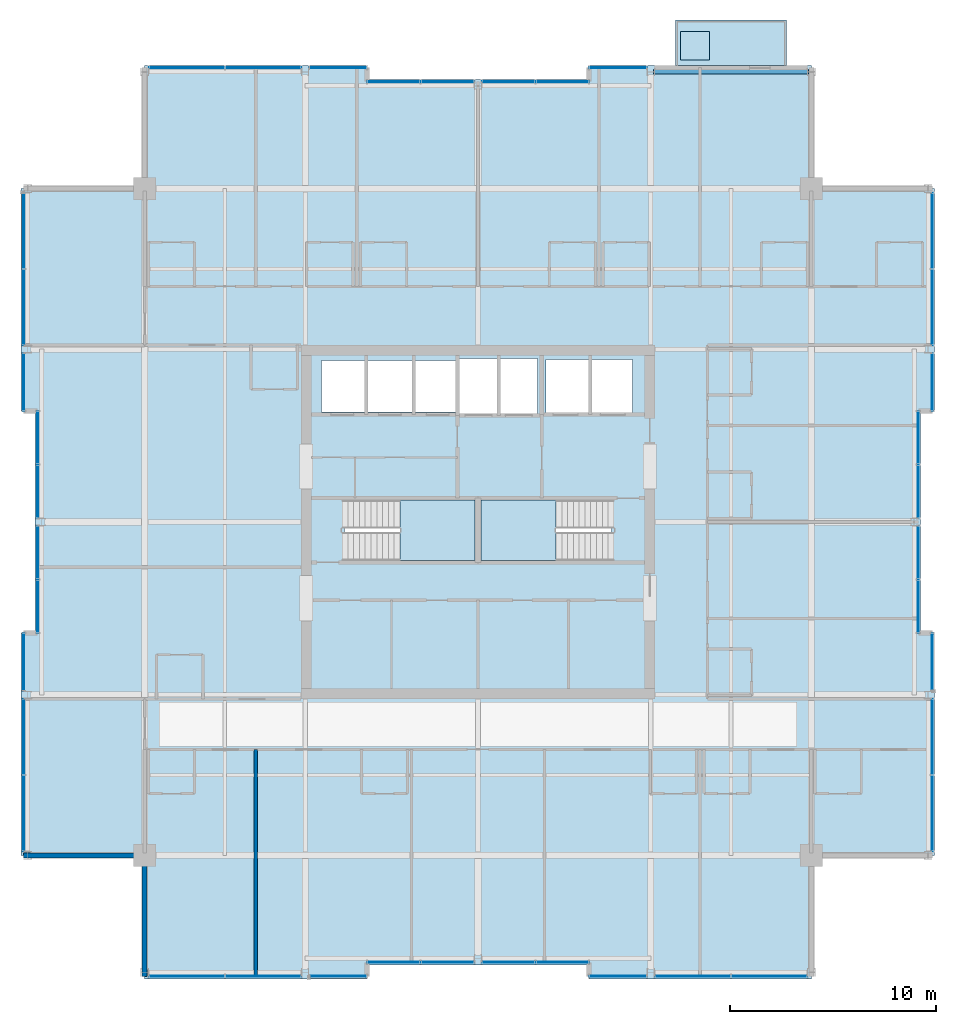
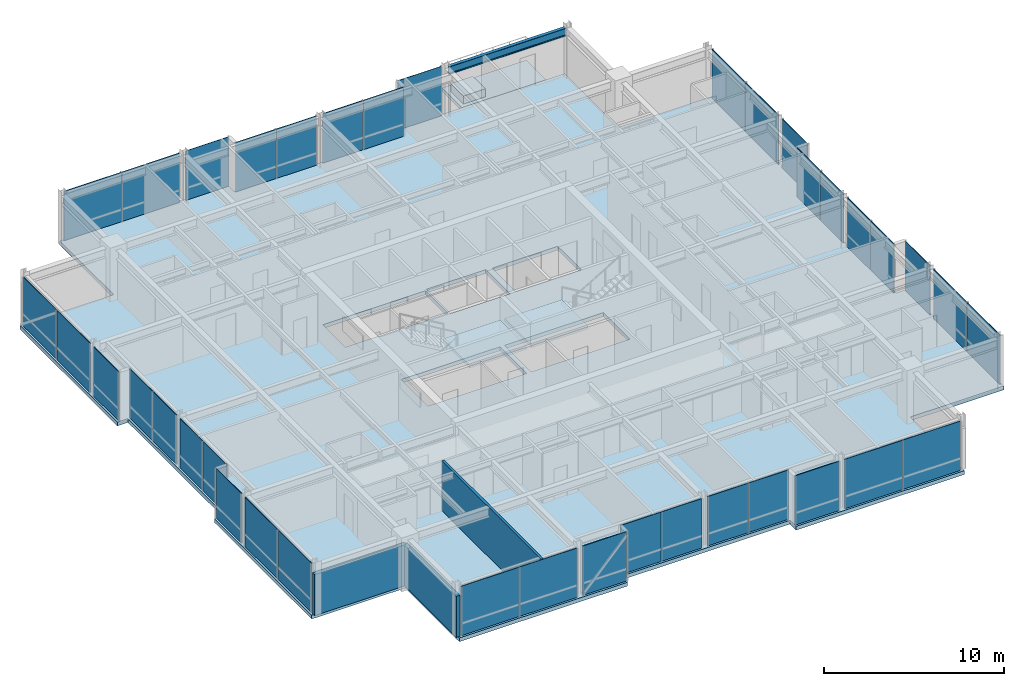
# One storey, part 26 of 33: 38 plates, 5 slabs, 3 walls, 1 beam, 25 elements without a shape of their own.
"""IFC4 building model written with IfcOpenShell, lengths in metres."""

from ifc_helpers import new_model, si_unit, direction, frame, frame_2d, origin, origin_2d, place, context, subcontext, project, spatial, polyline, rectangle, i_section, outline, extrude, material, layer, layer_set, material_profile, profile_set, type_object, element, aggregate, save


model = new_model("IFC4")

# Units and contexts
model_context = context("Model", 3, precision=1e-05, world=origin(), true_north=direction((0.0, 1.0)))
body_context = subcontext(model_context, "Body", "Model", "MODEL_VIEW")
ifc_project = project(units=[si_unit("LENGTHUNIT", "METRE"), si_unit("AREAUNIT", "SQUARE_METRE"), si_unit("VOLUMEUNIT", "CUBIC_METRE"), si_unit("PLANEANGLEUNIT", "RADIAN"), si_unit("MASSUNIT", "GRAM", prefix="KILO")], contexts=[model_context])

# Site, building, storey
site_placement = place(None, origin())
site = spatial("IfcSite", under=ifc_project, at=site_placement, CompositionType="ELEMENT")
building_placement = place(site_placement, origin())
building = spatial("IfcBuilding", under=site, at=building_placement, Name="Drelvath Grand Hotel", CompositionType="ELEMENT")
storey_placement = place(building_placement, frame((0.0, 0.0, 268.64990234375)))
storey = spatial("IfcBuildingStorey", under=building, at=storey_placement, Name="L70", CompositionType="ELEMENT", Elevation=268.64990234375)

# Beam
ifc_material_1 = material(Name="Steel ASTM A992 Gr 50", Category="steel")
ifc_material_profile = material_profile(ifc_material_1, i_section(OverallWidth=0.210205078125, OverallDepth=0.53662109375, WebThickness=0.010986328125, FlangeThickness=0.017333984375, FilletRadius=0.01806640625, at=origin_2d()), Name="W21X68")
ifc_profile_set = profile_set([ifc_material_profile], Name="Steel ASTM A992 Gr 50")
beam_type = type_object("IfcBeamType", Name="Perimeter Spandrel Beam W21X68", PredefinedType="SPANDREL", material=ifc_profile_set)
beam_placement = place(storey_placement, frame((8.5400390625, 48.8798828125, 3.121826171875), z_axis=(1.0, 0.0, 0.0), x_axis=(0.0, 1.0, 0.0)))
element("IfcBeam", 1, at=beam_placement, inside=storey, type_object=beam_type, Name="L70 Spandrel North E", PredefinedType="SPANDREL", context=body_context, shape_type="SweptSolid", body=[
    extrude(i_section(OverallWidth=0.210205078125, OverallDepth=0.53662109375, WebThickness=0.010986328125, FlangeThickness=0.017333984375, FilletRadius=0.01806640625, at=origin_2d()), origin(), (0.0, 0.0, 1.0), 7.52001953125),
])

# Slabs
ifc_material_2 = material(Name="Concrete f'c 40 MPa", Category="concrete")
ifc_layer_1 = layer(ifc_material_2, 0.239990234375)
ifc_layer_set_1 = layer_set([ifc_layer_1], Name="Concrete f'c 40 MPa")
slab_type_1 = type_object("IfcSlabType", Name="Cantilevered Tree Balcony Slab 240", PredefinedType="FLOOR", material=ifc_layer_set_1)
slab_1_placement = place(storey_placement, frame((0.0, 0.0, -0.239990234375)))
element("IfcSlab", 2, at=slab_1_placement, inside=storey, type_object=slab_type_1, Name="L70 Cantilevered Tree Balcony Slab 1", PredefinedType="FLOOR", context=body_context, shape_type="SweptSolid", body=[
    extrude(outline(polyline([(9.60009765625, 49.199951171875), (15.0, 49.199951171875), (15.0, 51.39990234375), (9.60009765625, 51.39990234375), (9.60009765625, 49.199951171875)])), origin(), (0.0, 0.0, 1.0), 0.239990234375),
])
ifc_layer_2 = layer(ifc_material_2, 0.260009765625)
ifc_layer_set_2 = layer_set([ifc_layer_2], Name="Concrete f'c 40 MPa")
slab_type_2 = type_object("IfcSlabType", Name="Composite RC Floor Slab 260", PredefinedType="FLOOR", material=ifc_layer_set_2)
slab_2_placement = place(storey_placement, frame((0.0, 0.0, -0.260009765625)))
element("IfcSlab", 3, at=slab_2_placement, inside=storey, type_object=slab_type_2, Name="L70 Structural Floor Slab", PredefinedType="FLOOR", context=body_context, shape_type="SweptSolid", body=[
    extrude(outline(polyline([(-16.199951171875, 4.800048828125), (-5.39990234375, 4.800048828125), (-5.39990234375, 5.47998046875), (5.39990234375, 5.47998046875), (5.39990234375, 4.800048828125), (16.199951171875, 4.800048828125), (16.199951171875, 10.800048828125), (22.199951171875, 10.800048828125), (22.199951171875, 21.60009765625), (21.52001953125, 21.60009765625), (21.52001953125, 32.39990234375), (22.199951171875, 32.39990234375), (22.199951171875, 43.199951171875), (16.199951171875, 43.199951171875), (16.199951171875, 49.199951171875), (5.39990234375, 49.199951171875), (5.39990234375, 48.52001953125), (-5.39990234375, 48.52001953125), (-5.39990234375, 49.199951171875), (-16.199951171875, 49.199951171875), (-16.199951171875, 43.199951171875), (-22.199951171875, 43.199951171875), (-22.199951171875, 32.39990234375), (-21.52001953125, 32.39990234375), (-21.52001953125, 21.60009765625), (-22.199951171875, 21.60009765625), (-22.199951171875, 10.800048828125), (-16.199951171875, 10.800048828125), (-16.199951171875, 4.800048828125)]), holes=[polyline([(-6.47998046875, 25.1201171875), (-6.47998046875, 28.080078125), (-0.14990234375, 28.080078125), (-0.14990234375, 25.1201171875), (-6.47998046875, 25.1201171875)]), polyline([(0.14990234375, 25.1201171875), (0.14990234375, 28.080078125), (6.47998046875, 28.080078125), (6.47998046875, 25.1201171875), (0.14990234375, 25.1201171875)]), polyline([(-7.60009765625, 32.35009765625), (-7.60009765625, 34.85009765625), (-1.02001953125, 34.85009765625), (-1.02001953125, 32.35009765625), (-7.60009765625, 32.35009765625)]), polyline([(-0.89990234375, 32.25), (-0.89990234375, 34.949951171875), (2.89990234375, 34.949951171875), (2.89990234375, 32.25), (-0.89990234375, 32.25)]), polyline([(3.300048828125, 32.300048828125), (3.300048828125, 34.89990234375), (7.5, 34.89990234375), (7.5, 32.300048828125), (3.300048828125, 32.300048828125)])]), origin(), (0.0, 0.0, 1.0), 0.260009765625),
])

# Stair, slab
ifc_material_3 = material(Name="Concrete C40/50", Category="concrete")
stair_type = type_object("IfcStairType", Name="Dogleg Exit Stair W1400-R165.9", PredefinedType="HALF_TURN_STAIR", material=ifc_material_3)
stair_1_placement = place(storey_placement, origin())
stair_1 = element("IfcStair", 4, at=stair_1_placement, inside=storey, type_object=stair_type, Name="L70 Core Exit Stair ST-1", PredefinedType="HALF_TURN_STAIR")
ifc_layer_3 = layer(ifc_material_3, 0.199951171875)
ifc_layer_set_3 = layer_set([ifc_layer_3], Name="Concrete C40/50")
slab_type_3 = type_object("IfcSlabType", Name="Concrete Stair Landing Slab 200", PredefinedType="LANDING", material=ifc_layer_set_3)
slab_3_placement = place(storey_placement, frame((0.0, 0.0, 1.625)))
slab_3 = element("IfcSlab", 5, at=slab_3_placement, type_object=slab_type_3, Name="ST-1 landing 1", PredefinedType="LANDING", context=body_context, shape_type="SweptSolid", body=[
    extrude(outline(polyline([(-3.800048828125, 25.1201171875), (-0.14990234375, 25.1201171875), (-0.14990234375, 28.080078125), (-3.800048828125, 28.080078125), (-3.800048828125, 25.1201171875)])), origin(), (0.0, 0.0, 1.0), 0.2001953125),
])
aggregate(stair_1, [slab_3])

stair_2_placement = place(storey_placement, origin())
stair_2 = element("IfcStair", 6, at=stair_2_placement, inside=storey, type_object=stair_type, Name="L70 Core Exit Stair ST-2", PredefinedType="HALF_TURN_STAIR")
slab_4_placement = place(storey_placement, frame((0.0, 0.0, 1.625)))
slab_4 = element("IfcSlab", 7, at=slab_4_placement, type_object=slab_type_3, Name="ST-2 landing 1", PredefinedType="LANDING", context=body_context, shape_type="SweptSolid", body=[
    extrude(outline(polyline([(3.800048828125, 28.080078125), (0.14990234375, 28.080078125), (0.14990234375, 25.1201171875), (3.800048828125, 25.1201171875), (3.800048828125, 28.080078125)])), origin(), (0.0, 0.0, 1.0), 0.2001953125),
])
aggregate(stair_2, [slab_4])

# Curtain wall, plates
ifc_material_4 = material(Name="Platinum-Mist Anodised Aluminium Frame", Category="aluminium")
ifc_layer_4 = layer(ifc_material_4, 0.199951171875)
ifc_layer_set_4 = layer_set([ifc_layer_4], Name="Platinum-Mist Anodised Aluminium Frame")
curtain_wall_type = type_object("IfcCurtainWallType", Name="Stick Curtain Wall CW-05 Platinum Mist High-Rise", PredefinedType="NOTDEFINED", material=ifc_layer_set_4)
curtain_wall_1_placement = place(storey_placement, origin())
curtain_wall_1 = element("IfcCurtainWall", 8, at=curtain_wall_1_placement, inside=storey, type_object=curtain_wall_type, Name="L70 CW-05 Curtain Wall CW05-L70-WS1", PredefinedType="NOTDEFINED")
ifc_material_5 = material(Name="Low-E Triple Silver High-Altitude Glass", Category="glass")
ifc_layer_5 = layer(ifc_material_5, 0.035888671875)
ifc_layer_set_5 = layer_set([ifc_layer_5], Name="Low-E Triple Silver High-Altitude Glass")
plate_type = type_object("IfcPlateType", Name="Curtain Wall Vision Panel CW-05 36mm", PredefinedType="CURTAIN_PANEL", material=ifc_layer_set_5)
plate_1_placement = place(storey_placement, frame((-22.080078125, 12.839111328125, 0.02001953125), z_axis=(0.0, 0.0, 1.0), x_axis=(0.0, 1.0, 0.0)))
plate_1 = element("IfcPlate", 9, at=plate_1_placement, type_object=plate_type, Name="CW05-L70-WS1 Glazed Panel 1", PredefinedType="CURTAIN_PANEL", context=body_context, shape_type="SweptSolid", body=[
    extrude(rectangle(XDim=3.681884765625, YDim=0.035888671875, at=origin_2d()), origin(), (0.0, 0.0, 1.0), 3.35009765625),
])
plate_2_placement = place(storey_placement, frame((-22.080078125, 16.560791015625, 0.02001953125), z_axis=(0.0, 0.0, 1.0), x_axis=(0.0, 1.0, 0.0)))
plate_2 = element("IfcPlate", 10, at=plate_2_placement, type_object=plate_type, Name="CW05-L70-WS1 Glazed Panel 2", PredefinedType="CURTAIN_PANEL", context=body_context, shape_type="SweptSolid", body=[
    extrude(rectangle(XDim=3.681884765625, YDim=0.035888671875, at=origin_2d()), origin(), (0.0, 0.0, 1.0), 3.35009765625),
])
aggregate(curtain_wall_1, [plate_1, plate_2])

# Curtain wall, plate
curtain_wall_2_placement = place(storey_placement, origin())
curtain_wall_2 = element("IfcCurtainWall", 11, at=curtain_wall_2_placement, inside=storey, type_object=curtain_wall_type, Name="L70 CW-05 Curtain Wall CW05-L70-WS2", PredefinedType="NOTDEFINED")
plate_3_placement = place(storey_placement, frame((-22.080078125, 20.189208984375, 0.02001953125), z_axis=(0.0, 0.0, 1.0), x_axis=(0.0, 1.0, 0.0)))
plate_3 = element("IfcPlate", 12, at=plate_3_placement, type_object=plate_type, Name="CW05-L70-WS2 Glazed Panel 1", PredefinedType="CURTAIN_PANEL", context=body_context, shape_type="SweptSolid", body=[
    extrude(rectangle(XDim=2.78173828125, YDim=0.035888671875, at=origin_2d()), origin(), (0.0, 0.0, 1.0), 3.35009765625),
])
aggregate(curtain_wall_2, [plate_3])

# Curtain wall, plates
curtain_wall_3_placement = place(storey_placement, origin())
curtain_wall_3 = element("IfcCurtainWall", 13, at=curtain_wall_3_placement, inside=storey, type_object=curtain_wall_type, Name="L70 CW-05 Curtain Wall CW05-L70-WM1", PredefinedType="NOTDEFINED")
plate_4_placement = place(storey_placement, frame((-21.39990234375, 22.905517578125, 0.02001953125), z_axis=(0.0, 0.0, 1.0), x_axis=(0.0, 1.0, 0.0)))
plate_4 = element("IfcPlate", 14, at=plate_4_placement, type_object=plate_type, Name="CW05-L70-WM1 Glazed Panel 1", PredefinedType="CURTAIN_PANEL", context=body_context, shape_type="SweptSolid", body=[
    extrude(rectangle(XDim=2.57080078125, YDim=0.035888671875, at=origin_2d()), origin(), (0.0, 0.0, 1.0), 3.35009765625),
])
plate_5_placement = place(storey_placement, frame((-21.39990234375, 25.516357421875, 0.02001953125), z_axis=(0.0, 0.0, 1.0), x_axis=(0.0, 1.0, 0.0)))
plate_5 = element("IfcPlate", 15, at=plate_5_placement, type_object=plate_type, Name="CW05-L70-WM1 Glazed Panel 2", PredefinedType="CURTAIN_PANEL", context=body_context, shape_type="SweptSolid", body=[
    extrude(rectangle(XDim=2.57080078125, YDim=0.035888671875, at=origin_2d()), origin(), (0.0, 0.0, 1.0), 3.35009765625),
])
aggregate(curtain_wall_3, [plate_4, plate_5])

curtain_wall_4_placement = place(storey_placement, origin())
curtain_wall_4 = element("IfcCurtainWall", 16, at=curtain_wall_4_placement, inside=storey, type_object=curtain_wall_type, Name="L70 CW-05 Curtain Wall CW05-L70-WM2", PredefinedType="NOTDEFINED")
plate_6_placement = place(storey_placement, frame((-21.39990234375, 28.483642578125, 0.02001953125), z_axis=(0.0, 0.0, 1.0), x_axis=(0.0, 1.0, 0.0)))
plate_6 = element("IfcPlate", 17, at=plate_6_placement, type_object=plate_type, Name="CW05-L70-WM2 Glazed Panel 1", PredefinedType="CURTAIN_PANEL", context=body_context, shape_type="SweptSolid", body=[
    extrude(rectangle(XDim=2.57080078125, YDim=0.035888671875, at=origin_2d()), origin(), (0.0, 0.0, 1.0), 3.35009765625),
])
plate_7_placement = place(storey_placement, frame((-21.39990234375, 31.094482421875, 0.02001953125), z_axis=(0.0, 0.0, 1.0), x_axis=(0.0, 1.0, 0.0)))
plate_7 = element("IfcPlate", 18, at=plate_7_placement, type_object=plate_type, Name="CW05-L70-WM2 Glazed Panel 2", PredefinedType="CURTAIN_PANEL", context=body_context, shape_type="SweptSolid", body=[
    extrude(rectangle(XDim=2.57080078125, YDim=0.035888671875, at=origin_2d()), origin(), (0.0, 0.0, 1.0), 3.35009765625),
])
aggregate(curtain_wall_4, [plate_6, plate_7])

# Curtain wall, plate
curtain_wall_5_placement = place(storey_placement, origin())
curtain_wall_5 = element("IfcCurtainWall", 19, at=curtain_wall_5_placement, inside=storey, type_object=curtain_wall_type, Name="L70 CW-05 Curtain Wall CW05-L70-WN1", PredefinedType="NOTDEFINED")
plate_8_placement = place(storey_placement, frame((-22.080078125, 33.810791015625, 0.02001953125), z_axis=(0.0, 0.0, 1.0), x_axis=(0.0, 1.0, 0.0)))
plate_8 = element("IfcPlate", 20, at=plate_8_placement, type_object=plate_type, Name="CW05-L70-WN1 Glazed Panel 1", PredefinedType="CURTAIN_PANEL", context=body_context, shape_type="SweptSolid", body=[
    extrude(rectangle(XDim=2.78173828125, YDim=0.035888671875, at=origin_2d()), origin(), (0.0, 0.0, 1.0), 3.35009765625),
])
aggregate(curtain_wall_5, [plate_8])

# Curtain wall, plates
curtain_wall_6_placement = place(storey_placement, origin())
curtain_wall_6 = element("IfcCurtainWall", 21, at=curtain_wall_6_placement, inside=storey, type_object=curtain_wall_type, Name="L70 CW-05 Curtain Wall CW05-L70-WN2", PredefinedType="NOTDEFINED")
plate_9_placement = place(storey_placement, frame((-22.080078125, 37.439208984375, 0.02001953125), z_axis=(0.0, 0.0, 1.0), x_axis=(0.0, 1.0, 0.0)))
plate_9 = element("IfcPlate", 22, at=plate_9_placement, type_object=plate_type, Name="CW05-L70-WN2 Glazed Panel 1", PredefinedType="CURTAIN_PANEL", context=body_context, shape_type="SweptSolid", body=[
    extrude(rectangle(XDim=3.681884765625, YDim=0.035888671875, at=origin_2d()), origin(), (0.0, 0.0, 1.0), 3.35009765625),
])
plate_10_placement = place(storey_placement, frame((-22.080078125, 41.160888671875, 0.02001953125), z_axis=(0.0, 0.0, 1.0), x_axis=(0.0, 1.0, 0.0)))
plate_10 = element("IfcPlate", 23, at=plate_10_placement, type_object=plate_type, Name="CW05-L70-WN2 Glazed Panel 2", PredefinedType="CURTAIN_PANEL", context=body_context, shape_type="SweptSolid", body=[
    extrude(rectangle(XDim=3.681884765625, YDim=0.035888671875, at=origin_2d()), origin(), (0.0, 0.0, 1.0), 3.35009765625),
])
aggregate(curtain_wall_6, [plate_9, plate_10])

# Curtain wall, plate
curtain_wall_7_placement = place(storey_placement, origin())
curtain_wall_7 = element("IfcCurtainWall", 24, at=curtain_wall_7_placement, inside=storey, type_object=curtain_wall_type, Name="L70 CW-05 Curtain Wall CW05-L70-EN1", PredefinedType="NOTDEFINED")
plate_11_placement = place(storey_placement, frame((22.080078125, 33.810791015625, 0.02001953125), z_axis=(0.0, 0.0, 1.0), x_axis=(0.0, -1.0, 0.0)))
plate_11 = element("IfcPlate", 25, at=plate_11_placement, type_object=plate_type, Name="CW05-L70-EN1 Glazed Panel 1", PredefinedType="CURTAIN_PANEL", context=body_context, shape_type="SweptSolid", body=[
    extrude(rectangle(XDim=2.78173828125, YDim=0.035888671875, at=origin_2d()), origin(), (0.0, 0.0, 1.0), 3.35009765625),
])
aggregate(curtain_wall_7, [plate_11])

# Curtain wall, plates
curtain_wall_8_placement = place(storey_placement, origin())
curtain_wall_8 = element("IfcCurtainWall", 26, at=curtain_wall_8_placement, inside=storey, type_object=curtain_wall_type, Name="L70 CW-05 Curtain Wall CW05-L70-EN2", PredefinedType="NOTDEFINED")
plate_12_placement = place(storey_placement, frame((22.080078125, 41.160888671875, 0.02001953125), z_axis=(0.0, 0.0, 1.0), x_axis=(0.0, -1.0, 0.0)))
plate_12 = element("IfcPlate", 27, at=plate_12_placement, type_object=plate_type, Name="CW05-L70-EN2 Glazed Panel 1", PredefinedType="CURTAIN_PANEL", context=body_context, shape_type="SweptSolid", body=[
    extrude(rectangle(XDim=3.681884765625, YDim=0.035888671875, at=origin_2d()), origin(), (0.0, 0.0, 1.0), 3.35009765625),
])
plate_13_placement = place(storey_placement, frame((22.080078125, 37.439208984375, 0.02001953125), z_axis=(0.0, 0.0, 1.0), x_axis=(0.0, -1.0, 0.0)))
plate_13 = element("IfcPlate", 28, at=plate_13_placement, type_object=plate_type, Name="CW05-L70-EN2 Glazed Panel 2", PredefinedType="CURTAIN_PANEL", context=body_context, shape_type="SweptSolid", body=[
    extrude(rectangle(XDim=3.681884765625, YDim=0.035888671875, at=origin_2d()), origin(), (0.0, 0.0, 1.0), 3.35009765625),
])
aggregate(curtain_wall_8, [plate_12, plate_13])

curtain_wall_9_placement = place(storey_placement, origin())
curtain_wall_9 = element("IfcCurtainWall", 29, at=curtain_wall_9_placement, inside=storey, type_object=curtain_wall_type, Name="L70 CW-05 Curtain Wall CW05-L70-EM1", PredefinedType="NOTDEFINED")
plate_14_placement = place(storey_placement, frame((21.39990234375, 25.516357421875, 0.02001953125), z_axis=(0.0, 0.0, 1.0), x_axis=(0.0, -1.0, 0.0)))
plate_14 = element("IfcPlate", 30, at=plate_14_placement, type_object=plate_type, Name="CW05-L70-EM1 Glazed Panel 1", PredefinedType="CURTAIN_PANEL", context=body_context, shape_type="SweptSolid", body=[
    extrude(rectangle(XDim=2.57080078125, YDim=0.035888671875, at=origin_2d()), origin(), (0.0, 0.0, 1.0), 3.35009765625),
])
plate_15_placement = place(storey_placement, frame((21.39990234375, 22.905517578125, 0.02001953125), z_axis=(0.0, 0.0, 1.0), x_axis=(0.0, -1.0, 0.0)))
plate_15 = element("IfcPlate", 31, at=plate_15_placement, type_object=plate_type, Name="CW05-L70-EM1 Glazed Panel 2", PredefinedType="CURTAIN_PANEL", context=body_context, shape_type="SweptSolid", body=[
    extrude(rectangle(XDim=2.57080078125, YDim=0.035888671875, at=origin_2d()), origin(), (0.0, 0.0, 1.0), 3.35009765625),
])
aggregate(curtain_wall_9, [plate_14, plate_15])

curtain_wall_10_placement = place(storey_placement, origin())
curtain_wall_10 = element("IfcCurtainWall", 32, at=curtain_wall_10_placement, inside=storey, type_object=curtain_wall_type, Name="L70 CW-05 Curtain Wall CW05-L70-EM2", PredefinedType="NOTDEFINED")
plate_16_placement = place(storey_placement, frame((21.39990234375, 31.094482421875, 0.02001953125), z_axis=(0.0, 0.0, 1.0), x_axis=(0.0, -1.0, 0.0)))
plate_16 = element("IfcPlate", 33, at=plate_16_placement, type_object=plate_type, Name="CW05-L70-EM2 Glazed Panel 1", PredefinedType="CURTAIN_PANEL", context=body_context, shape_type="SweptSolid", body=[
    extrude(rectangle(XDim=2.57080078125, YDim=0.035888671875, at=origin_2d()), origin(), (0.0, 0.0, 1.0), 3.35009765625),
])
plate_17_placement = place(storey_placement, frame((21.39990234375, 28.483642578125, 0.02001953125), z_axis=(0.0, 0.0, 1.0), x_axis=(0.0, -1.0, 0.0)))
plate_17 = element("IfcPlate", 34, at=plate_17_placement, type_object=plate_type, Name="CW05-L70-EM2 Glazed Panel 2", PredefinedType="CURTAIN_PANEL", context=body_context, shape_type="SweptSolid", body=[
    extrude(rectangle(XDim=2.57080078125, YDim=0.035888671875, at=origin_2d()), origin(), (0.0, 0.0, 1.0), 3.35009765625),
])
aggregate(curtain_wall_10, [plate_16, plate_17])

curtain_wall_11_placement = place(storey_placement, origin())
curtain_wall_11 = element("IfcCurtainWall", 35, at=curtain_wall_11_placement, inside=storey, type_object=curtain_wall_type, Name="L70 CW-05 Curtain Wall CW05-L70-ES1", PredefinedType="NOTDEFINED")
plate_18_placement = place(storey_placement, frame((22.080078125, 16.560791015625, 0.02001953125), z_axis=(0.0, 0.0, 1.0), x_axis=(0.0, -1.0, 0.0)))
plate_18 = element("IfcPlate", 36, at=plate_18_placement, type_object=plate_type, Name="CW05-L70-ES1 Glazed Panel 1", PredefinedType="CURTAIN_PANEL", context=body_context, shape_type="SweptSolid", body=[
    extrude(rectangle(XDim=3.681884765625, YDim=0.035888671875, at=origin_2d()), origin(), (0.0, 0.0, 1.0), 3.35009765625),
])
plate_19_placement = place(storey_placement, frame((22.080078125, 12.839111328125, 0.02001953125), z_axis=(0.0, 0.0, 1.0), x_axis=(0.0, -1.0, 0.0)))
plate_19 = element("IfcPlate", 37, at=plate_19_placement, type_object=plate_type, Name="CW05-L70-ES1 Glazed Panel 2", PredefinedType="CURTAIN_PANEL", context=body_context, shape_type="SweptSolid", body=[
    extrude(rectangle(XDim=3.681884765625, YDim=0.035888671875, at=origin_2d()), origin(), (0.0, 0.0, 1.0), 3.35009765625),
])
aggregate(curtain_wall_11, [plate_18, plate_19])

# Curtain wall, plate
curtain_wall_12_placement = place(storey_placement, origin())
curtain_wall_12 = element("IfcCurtainWall", 38, at=curtain_wall_12_placement, inside=storey, type_object=curtain_wall_type, Name="L70 CW-05 Curtain Wall CW05-L70-ES2", PredefinedType="NOTDEFINED")
plate_20_placement = place(storey_placement, frame((22.080078125, 20.189208984375, 0.02001953125), z_axis=(0.0, 0.0, 1.0), x_axis=(0.0, -1.0, 0.0)))
plate_20 = element("IfcPlate", 39, at=plate_20_placement, type_object=plate_type, Name="CW05-L70-ES2 Glazed Panel 1", PredefinedType="CURTAIN_PANEL", context=body_context, shape_type="SweptSolid", body=[
    extrude(rectangle(XDim=2.78173828125, YDim=0.035888671875, at=origin_2d()), origin(), (0.0, 0.0, 1.0), 3.35009765625),
])
aggregate(curtain_wall_12, [plate_20])

# Curtain wall, plates
curtain_wall_13_placement = place(storey_placement, origin())
curtain_wall_13 = element("IfcCurtainWall", 40, at=curtain_wall_13_placement, inside=storey, type_object=curtain_wall_type, Name="L70 CW-05 Curtain Wall CW05-L70-NW1", PredefinedType="NOTDEFINED")
plate_21_placement = place(storey_placement, frame((-14.160888671875, 49.080078125, 0.02001953125), z_axis=(0.0, 0.0, 1.0), x_axis=(1.0, 0.0, 0.0)))
plate_21 = element("IfcPlate", 41, at=plate_21_placement, type_object=plate_type, Name="CW05-L70-NW1 Glazed Panel 1", PredefinedType="CURTAIN_PANEL", context=body_context, shape_type="SweptSolid", body=[
    extrude(rectangle(XDim=3.681884765625, YDim=0.035888671875, at=origin_2d()), origin(), (0.0, 0.0, 1.0), 3.35009765625),
])
plate_22_placement = place(storey_placement, frame((-10.439208984375, 49.080078125, 0.02001953125), z_axis=(0.0, 0.0, 1.0), x_axis=(1.0, 0.0, 0.0)))
plate_22 = element("IfcPlate", 42, at=plate_22_placement, type_object=plate_type, Name="CW05-L70-NW1 Glazed Panel 2", PredefinedType="CURTAIN_PANEL", context=body_context, shape_type="SweptSolid", body=[
    extrude(rectangle(XDim=3.681884765625, YDim=0.035888671875, at=origin_2d()), origin(), (0.0, 0.0, 1.0), 3.35009765625),
])
aggregate(curtain_wall_13, [plate_21, plate_22])

# Curtain wall, plate
curtain_wall_14_placement = place(storey_placement, origin())
curtain_wall_14 = element("IfcCurtainWall", 43, at=curtain_wall_14_placement, inside=storey, type_object=curtain_wall_type, Name="L70 CW-05 Curtain Wall CW05-L70-NW2", PredefinedType="NOTDEFINED")
plate_23_placement = place(storey_placement, frame((-6.810791015625, 49.080078125, 0.02001953125), z_axis=(0.0, 0.0, 1.0), x_axis=(1.0, 0.0, 0.0)))
plate_23 = element("IfcPlate", 44, at=plate_23_placement, type_object=plate_type, Name="CW05-L70-NW2 Glazed Panel 1", PredefinedType="CURTAIN_PANEL", context=body_context, shape_type="SweptSolid", body=[
    extrude(rectangle(XDim=2.78173828125, YDim=0.035888671875, at=origin_2d()), origin(), (0.0, 0.0, 1.0), 3.35009765625),
])
aggregate(curtain_wall_14, [plate_23])

# Curtain wall, plates
curtain_wall_15_placement = place(storey_placement, origin())
curtain_wall_15 = element("IfcCurtainWall", 45, at=curtain_wall_15_placement, inside=storey, type_object=curtain_wall_type, Name="L70 CW-05 Curtain Wall CW05-L70-NM1", PredefinedType="NOTDEFINED")
plate_24_placement = place(storey_placement, frame((-4.094482421875, 48.39990234375, 0.02001953125), z_axis=(0.0, 0.0, 1.0), x_axis=(1.0, 0.0, 0.0)))
plate_24 = element("IfcPlate", 46, at=plate_24_placement, type_object=plate_type, Name="CW05-L70-NM1 Glazed Panel 1", PredefinedType="CURTAIN_PANEL", context=body_context, shape_type="SweptSolid", body=[
    extrude(rectangle(XDim=2.57080078125, YDim=0.035888671875, at=origin_2d()), origin(), (0.0, 0.0, 1.0), 3.35009765625),
])
plate_25_placement = place(storey_placement, frame((-1.483642578125, 48.39990234375, 0.02001953125), z_axis=(0.0, 0.0, 1.0), x_axis=(1.0, 0.0, 0.0)))
plate_25 = element("IfcPlate", 47, at=plate_25_placement, type_object=plate_type, Name="CW05-L70-NM1 Glazed Panel 2", PredefinedType="CURTAIN_PANEL", context=body_context, shape_type="SweptSolid", body=[
    extrude(rectangle(XDim=2.57080078125, YDim=0.035888671875, at=origin_2d()), origin(), (0.0, 0.0, 1.0), 3.35009765625),
])
aggregate(curtain_wall_15, [plate_24, plate_25])

curtain_wall_16_placement = place(storey_placement, origin())
curtain_wall_16 = element("IfcCurtainWall", 48, at=curtain_wall_16_placement, inside=storey, type_object=curtain_wall_type, Name="L70 CW-05 Curtain Wall CW05-L70-NM2", PredefinedType="NOTDEFINED")
plate_26_placement = place(storey_placement, frame((1.483642578125, 48.39990234375, 0.02001953125), z_axis=(0.0, 0.0, 1.0), x_axis=(1.0, 0.0, 0.0)))
plate_26 = element("IfcPlate", 49, at=plate_26_placement, type_object=plate_type, Name="CW05-L70-NM2 Glazed Panel 1", PredefinedType="CURTAIN_PANEL", context=body_context, shape_type="SweptSolid", body=[
    extrude(rectangle(XDim=2.57080078125, YDim=0.035888671875, at=origin_2d()), origin(), (0.0, 0.0, 1.0), 3.35009765625),
])
plate_27_placement = place(storey_placement, frame((4.094482421875, 48.39990234375, 0.02001953125), z_axis=(0.0, 0.0, 1.0), x_axis=(1.0, 0.0, 0.0)))
plate_27 = element("IfcPlate", 50, at=plate_27_placement, type_object=plate_type, Name="CW05-L70-NM2 Glazed Panel 2", PredefinedType="CURTAIN_PANEL", context=body_context, shape_type="SweptSolid", body=[
    extrude(rectangle(XDim=2.57080078125, YDim=0.035888671875, at=origin_2d()), origin(), (0.0, 0.0, 1.0), 3.35009765625),
])
aggregate(curtain_wall_16, [plate_26, plate_27])

# Curtain wall, plate
curtain_wall_17_placement = place(storey_placement, origin())
curtain_wall_17 = element("IfcCurtainWall", 51, at=curtain_wall_17_placement, inside=storey, type_object=curtain_wall_type, Name="L70 CW-05 Curtain Wall CW05-L70-NE1", PredefinedType="NOTDEFINED")
plate_28_placement = place(storey_placement, frame((6.810791015625, 49.080078125, 0.02001953125), z_axis=(0.0, 0.0, 1.0), x_axis=(1.0, 0.0, 0.0)))
plate_28 = element("IfcPlate", 52, at=plate_28_placement, type_object=plate_type, Name="CW05-L70-NE1 Glazed Panel 1", PredefinedType="CURTAIN_PANEL", context=body_context, shape_type="SweptSolid", body=[
    extrude(rectangle(XDim=2.78173828125, YDim=0.035888671875, at=origin_2d()), origin(), (0.0, 0.0, 1.0), 3.35009765625),
])
aggregate(curtain_wall_17, [plate_28])

curtain_wall_18_placement = place(storey_placement, origin())
curtain_wall_18 = element("IfcCurtainWall", 53, at=curtain_wall_18_placement, inside=storey, type_object=curtain_wall_type, Name="L70 CW-05 Curtain Wall CW05-L70-SE1", PredefinedType="NOTDEFINED")
plate_29_placement = place(storey_placement, frame((6.810791015625, 4.919921875, 0.02001953125), z_axis=(0.0, 0.0, 1.0), x_axis=(-1.0, 0.0, 0.0)))
plate_29 = element("IfcPlate", 54, at=plate_29_placement, type_object=plate_type, Name="CW05-L70-SE1 Glazed Panel 1", PredefinedType="CURTAIN_PANEL", context=body_context, shape_type="SweptSolid", body=[
    extrude(rectangle(XDim=2.78173828125, YDim=0.035888671875, at=origin_2d()), origin(), (0.0, 0.0, 1.0), 3.35009765625),
])
aggregate(curtain_wall_18, [plate_29])

# Curtain wall, plates
curtain_wall_19_placement = place(storey_placement, origin())
curtain_wall_19 = element("IfcCurtainWall", 55, at=curtain_wall_19_placement, inside=storey, type_object=curtain_wall_type, Name="L70 CW-05 Curtain Wall CW05-L70-SE2", PredefinedType="NOTDEFINED")
plate_30_placement = place(storey_placement, frame((14.160888671875, 4.919921875, 0.02001953125), z_axis=(0.0, 0.0, 1.0), x_axis=(-1.0, 0.0, 0.0)))
plate_30 = element("IfcPlate", 56, at=plate_30_placement, type_object=plate_type, Name="CW05-L70-SE2 Glazed Panel 1", PredefinedType="CURTAIN_PANEL", context=body_context, shape_type="SweptSolid", body=[
    extrude(rectangle(XDim=3.681884765625, YDim=0.035888671875, at=origin_2d()), origin(), (0.0, 0.0, 1.0), 3.35009765625),
])
plate_31_placement = place(storey_placement, frame((10.439208984375, 4.919921875, 0.02001953125), z_axis=(0.0, 0.0, 1.0), x_axis=(-1.0, 0.0, 0.0)))
plate_31 = element("IfcPlate", 57, at=plate_31_placement, type_object=plate_type, Name="CW05-L70-SE2 Glazed Panel 2", PredefinedType="CURTAIN_PANEL", context=body_context, shape_type="SweptSolid", body=[
    extrude(rectangle(XDim=3.681884765625, YDim=0.035888671875, at=origin_2d()), origin(), (0.0, 0.0, 1.0), 3.35009765625),
])
aggregate(curtain_wall_19, [plate_30, plate_31])

curtain_wall_20_placement = place(storey_placement, origin())
curtain_wall_20 = element("IfcCurtainWall", 58, at=curtain_wall_20_placement, inside=storey, type_object=curtain_wall_type, Name="L70 CW-05 Curtain Wall CW05-L70-SM1", PredefinedType="NOTDEFINED")
plate_32_placement = place(storey_placement, frame((-1.483642578125, 5.60009765625, 0.02001953125), z_axis=(0.0, 0.0, 1.0), x_axis=(-1.0, 0.0, 0.0)))
plate_32 = element("IfcPlate", 59, at=plate_32_placement, type_object=plate_type, Name="CW05-L70-SM1 Glazed Panel 1", PredefinedType="CURTAIN_PANEL", context=body_context, shape_type="SweptSolid", body=[
    extrude(rectangle(XDim=2.57080078125, YDim=0.035888671875, at=origin_2d()), origin(), (0.0, 0.0, 1.0), 3.35009765625),
])
plate_33_placement = place(storey_placement, frame((-4.094482421875, 5.60009765625, 0.02001953125), z_axis=(0.0, 0.0, 1.0), x_axis=(-1.0, 0.0, 0.0)))
plate_33 = element("IfcPlate", 60, at=plate_33_placement, type_object=plate_type, Name="CW05-L70-SM1 Glazed Panel 2", PredefinedType="CURTAIN_PANEL", context=body_context, shape_type="SweptSolid", body=[
    extrude(rectangle(XDim=2.57080078125, YDim=0.035888671875, at=origin_2d()), origin(), (0.0, 0.0, 1.0), 3.35009765625),
])
aggregate(curtain_wall_20, [plate_32, plate_33])

curtain_wall_21_placement = place(storey_placement, origin())
curtain_wall_21 = element("IfcCurtainWall", 61, at=curtain_wall_21_placement, inside=storey, type_object=curtain_wall_type, Name="L70 CW-05 Curtain Wall CW05-L70-SM2", PredefinedType="NOTDEFINED")
plate_34_placement = place(storey_placement, frame((4.094482421875, 5.60009765625, 0.02001953125), z_axis=(0.0, 0.0, 1.0), x_axis=(-1.0, 0.0, 0.0)))
plate_34 = element("IfcPlate", 62, at=plate_34_placement, type_object=plate_type, Name="CW05-L70-SM2 Glazed Panel 1", PredefinedType="CURTAIN_PANEL", context=body_context, shape_type="SweptSolid", body=[
    extrude(rectangle(XDim=2.57080078125, YDim=0.035888671875, at=origin_2d()), origin(), (0.0, 0.0, 1.0), 3.35009765625),
])
plate_35_placement = place(storey_placement, frame((1.483642578125, 5.60009765625, 0.02001953125), z_axis=(0.0, 0.0, 1.0), x_axis=(-1.0, 0.0, 0.0)))
plate_35 = element("IfcPlate", 63, at=plate_35_placement, type_object=plate_type, Name="CW05-L70-SM2 Glazed Panel 2", PredefinedType="CURTAIN_PANEL", context=body_context, shape_type="SweptSolid", body=[
    extrude(rectangle(XDim=2.57080078125, YDim=0.035888671875, at=origin_2d()), origin(), (0.0, 0.0, 1.0), 3.35009765625),
])
aggregate(curtain_wall_21, [plate_34, plate_35])

curtain_wall_22_placement = place(storey_placement, origin())
curtain_wall_22 = element("IfcCurtainWall", 64, at=curtain_wall_22_placement, inside=storey, type_object=curtain_wall_type, Name="L70 CW-05 Curtain Wall CW05-L70-SW1", PredefinedType="NOTDEFINED")
plate_36_placement = place(storey_placement, frame((-10.439208984375, 4.919921875, 0.02001953125), z_axis=(0.0, 0.0, 1.0), x_axis=(-1.0, 0.0, 0.0)))
plate_36 = element("IfcPlate", 65, at=plate_36_placement, type_object=plate_type, Name="CW05-L70-SW1 Glazed Panel 1", PredefinedType="CURTAIN_PANEL", context=body_context, shape_type="SweptSolid", body=[
    extrude(rectangle(XDim=3.681884765625, YDim=0.035888671875, at=origin_2d()), origin(), (0.0, 0.0, 1.0), 3.35009765625),
])
plate_37_placement = place(storey_placement, frame((-14.160888671875, 4.919921875, 0.02001953125), z_axis=(0.0, 0.0, 1.0), x_axis=(-1.0, 0.0, 0.0)))
plate_37 = element("IfcPlate", 66, at=plate_37_placement, type_object=plate_type, Name="CW05-L70-SW1 Glazed Panel 2", PredefinedType="CURTAIN_PANEL", context=body_context, shape_type="SweptSolid", body=[
    extrude(rectangle(XDim=3.681884765625, YDim=0.035888671875, at=origin_2d()), origin(), (0.0, 0.0, 1.0), 3.35009765625),
])
aggregate(curtain_wall_22, [plate_36, plate_37])

# Curtain wall, plate
curtain_wall_23_placement = place(storey_placement, origin())
curtain_wall_23 = element("IfcCurtainWall", 67, at=curtain_wall_23_placement, inside=storey, type_object=curtain_wall_type, Name="L70 CW-05 Curtain Wall CW05-L70-SW2", PredefinedType="NOTDEFINED")
plate_38_placement = place(storey_placement, frame((-6.810791015625, 4.919921875, 0.02001953125), z_axis=(0.0, 0.0, 1.0), x_axis=(-1.0, 0.0, 0.0)))
plate_38 = element("IfcPlate", 68, at=plate_38_placement, type_object=plate_type, Name="CW05-L70-SW2 Glazed Panel 1", PredefinedType="CURTAIN_PANEL", context=body_context, shape_type="SweptSolid", body=[
    extrude(rectangle(XDim=2.78173828125, YDim=0.035888671875, at=origin_2d()), origin(), (0.0, 0.0, 1.0), 3.35009765625),
])
aggregate(curtain_wall_23, [plate_38])

# Slab
ifc_layer_6 = layer(ifc_material_2, 0.550048828125)
ifc_layer_set_6 = layer_set([ifc_layer_6], Name="Concrete f'c 40 MPa")
slab_type_4 = type_object("IfcSlabType", Name="Structural Tree Planter Box 550", PredefinedType="USERDEFINED", material=ifc_layer_set_6)
slab_5_placement = place(storey_placement, origin())
element("IfcSlab", 69, at=slab_5_placement, inside=storey, type_object=slab_type_4, Name="L70 Tree Balcony Structural Planter 1", ObjectType="PLANTER", PredefinedType="USERDEFINED", context=body_context, shape_type="SweptSolid", body=[
    extrude(outline(polyline([(9.85009765625, 49.449951171875), (11.25, 49.449951171875), (11.25, 50.85009765625), (9.85009765625, 50.85009765625), (9.85009765625, 49.449951171875)])), origin(), (0.0, 0.0, 1.0), 0.550048828125),
])

# Walls
ifc_material_6 = material(Name="Gypsum Acoustic Partition")
ifc_layer_7 = layer(ifc_material_6, 0.14990234375)
ifc_layer_set_7 = layer_set([ifc_layer_7], Name="Gypsum Acoustic Partition")
wall_type_1 = type_object("IfcWallType", Name="Guestroom Demising Wall 150", PredefinedType="PARTITIONING", material=ifc_layer_set_7)
wall_placement = place(storey_placement, frame((-10.800048828125, 4.919921875, 0.0), z_axis=(0.0, 0.0, 1.0), x_axis=(0.0, 1.0, 0.0)))
element("IfcWall", 70, at=wall_placement, inside=storey, type_object=wall_type_1, Name="L70 South Demising 1", PredefinedType="PARTITIONING", context=body_context, shape_type="SweptSolid", body=[
    extrude(rectangle(XDim=11.030029296875, YDim=0.14990234375, at=frame_2d((5.51513671875, 0.0))), origin(), (0.0, 0.0, 1.0), 3.39013671875),
])
ifc_material_7 = material(Name="Pale-Metal Insulated Aluminium Spandrel Assembly", Category="aluminium")
ifc_layer_8 = layer(ifc_material_7, 0.239990234375)
ifc_layer_set_8 = layer_set([ifc_layer_8], Name="Pale-Metal Insulated Aluminium Spandrel Assembly")
wall_type_2 = type_object("IfcWallType", Name="Tower Insulated Metal Spandrel Closure Wall 240", PredefinedType="STANDARD", material=ifc_layer_set_8)
for number, where, z_axis, x_axis, name in (
    (71, (-16.199951171875, 4.919921875, 0.0), (0.0, 0.0, 1.0), (0.0, 1.0, 0.0), "L70 Notched Corner Return Spandrel Wall CSW1"),
    (72, (-16.199951171875, 10.800048828125, 0.0), (0.0, 0.0, 1.0), (-1.0, 0.0, 0.0), "L70 Notched Corner Return Spandrel Wall CSW2"),
):
    element("IfcWall", number, at=place(storey_placement, frame(where, z_axis=z_axis, x_axis=x_axis)), inside=storey, type_object=wall_type_2, Name=name, PredefinedType="STANDARD", context=body_context, shape_type="SweptSolid", body=[
        extrude(rectangle(XDim=5.880126953125, YDim=0.239990234375, at=frame_2d((2.93994140625, 0.0))), origin(), (0.0, 0.0, 1.0), 2.779052734375),
    ])

save(model, "model.ifc")
